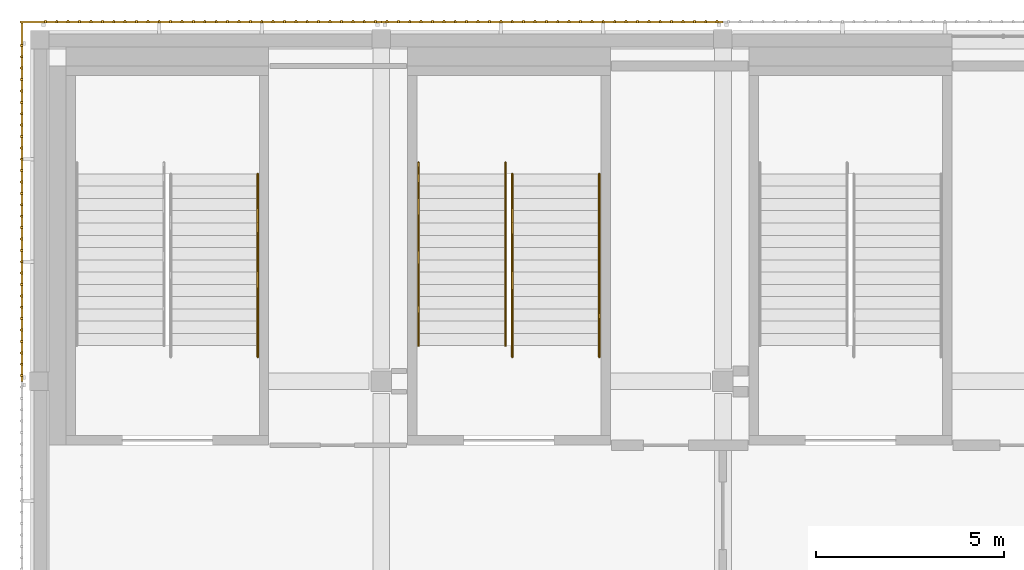
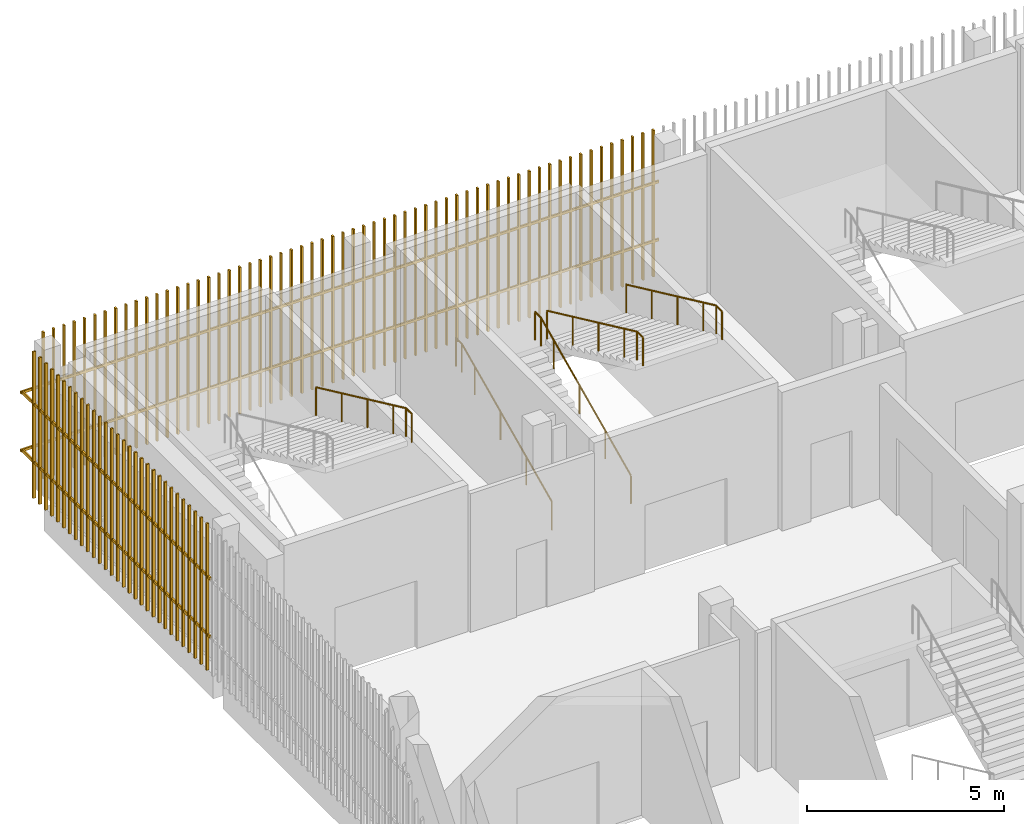
# One storey, part 124 of 139: 5 railings, 3 shading devices.
"""IFC4 building model written with IfcOpenShell, lengths in metres."""

from ifc_helpers import new_model, si_unit, direction, frame, origin, origin_2d, place, context, subcontext, project, spatial, rectangle, circle, extrude, material, type_object, element, save


model = new_model("IFC4")

# Units and contexts
model_context = context("Model", 3, precision=1e-05, world=origin(), true_north=direction((0.0, 1.0)))
body_context = subcontext(model_context, "Body", "Model", "MODEL_VIEW")
ifc_project = project(units=[si_unit("LENGTHUNIT", "METRE"), si_unit("AREAUNIT", "SQUARE_METRE"), si_unit("VOLUMEUNIT", "CUBIC_METRE"), si_unit("PLANEANGLEUNIT", "RADIAN"), si_unit("MASSUNIT", "GRAM", prefix="KILO")], contexts=[model_context])

# Site, building, storey
site_placement = place(None, origin())
site = spatial("IfcSite", under=ifc_project, at=site_placement, CompositionType="ELEMENT")
building_placement = place(site_placement, origin())
building = spatial("IfcBuilding", under=site, at=building_placement, Name="Shirokan Park Arena", CompositionType="ELEMENT")
storey_placement = place(building_placement, frame((0.0, 0.0, 15.469970703125)))
storey = spatial("IfcBuildingStorey", under=building, at=storey_placement, Name="L03", CompositionType="ELEMENT", Elevation=15.469970703125)

# Railings
ifc_material_1 = material(Name="Stainless steel", Category="steel")
railing_type = type_object("IfcRailingType", Name="Stair handrail 900", PredefinedType="HANDRAIL", material=ifc_material_1)
railing_1_placement = place(storey_placement, frame((5.81005859375, 105.623779296875, 2.4267578125)))
element("IfcRailing", 1, at=railing_1_placement, inside=storey, type_object=railing_type, Name="Handrail Exit Stair 4.A L03 to L04", PredefinedType="HANDRAIL", context=body_context, shape_type="SweptSolid", body=[
    extrude(circle(Radius=0.02392578125, at=origin_2d()), frame((0.0, 0.0, 0.8759765625), z_axis=(0.0, -0.907029769225, 0.421066500378), x_axis=(1.0, 0.0, 0.0)), (0.0, 0.0, 1.0), 1.44091796875),
    extrude(circle(Radius=0.02392578125, at=origin_2d()), frame((0.0, -1.306884765625, 1.482421875), z_axis=(0.0, -0.906999720516, 0.421131222998), x_axis=(1.0, 0.0, 0.0)), (0.0, 0.0, 1.0), 1.440673828125),
    extrude(circle(Radius=0.02392578125, at=origin_2d()), frame((0.0, -2.613525390625, 2.08935546875), z_axis=(0.0, -0.907094476872, 0.420927083981), x_axis=(1.0, 0.0, 0.0)), (0.0, 0.0, 1.0), 1.440673828125),
    extrude(circle(Radius=0.02392578125, at=origin_2d()), frame((0.0, -3.92041015625, 2.69580078125), z_axis=(0.0, -0.906934982928, 0.421270621741), x_axis=(1.0, 0.0, 0.0)), (0.0, 0.0, 1.0), 0.720458984375),
    extrude(circle(Radius=0.02392578125, at=origin_2d()), frame((0.0, -4.57373046875, 2.9990234375), z_axis=(0.0, -1.0, 0.0), x_axis=(1.0, 0.0, 0.0)), (0.0, 0.0, 1.0), 0.300048828125),
    extrude(circle(Radius=0.02099609375, at=origin_2d()), origin(), (0.0, 0.0, 1.0), 0.851806640625),
    extrude(circle(Radius=0.02099609375, at=origin_2d()), frame((0.0, -1.306884765625, 0.606689453125)), (0.0, 0.0, 1.0), 0.851806640625),
    extrude(circle(Radius=0.02099609375, at=origin_2d()), frame((0.0, -2.613525390625, 1.21337890625)), (0.0, 0.0, 1.0), 0.851806640625),
    extrude(circle(Radius=0.02099609375, at=origin_2d()), frame((0.0, -3.92041015625, 1.81982421875)), (0.0, 0.0, 1.0), 0.851806640625),
    extrude(circle(Radius=0.02099609375, at=origin_2d()), frame((0.0, -4.57373046875, 2.123291015625)), (0.0, 0.0, 1.0), 0.851806640625),
    extrude(circle(Radius=0.02099609375, at=origin_2d()), frame((0.0, -4.873779296875, 2.123291015625)), (0.0, 0.0, 1.0), 0.851806640625),
])
railing_2_placement = place(storey_placement, frame((10.090087890625, 101.050048828125, 0.151611328125)))
element("IfcRailing", 2, at=railing_2_placement, inside=storey, type_object=railing_type, Name="Handrail Exit Stair 4.B L03 to L04", PredefinedType="HANDRAIL", context=body_context, shape_type="SweptSolid", body=[
    extrude(circle(Radius=0.02392578125, at=origin_2d()), frame((0.0, 0.0, 0.8759765625), z_axis=(0.0, 0.906999720516, 0.421131222998), x_axis=(-1.0, 0.0, 0.0)), (0.0, 0.0, 1.0), 1.440673828125),
    extrude(circle(Radius=0.02392578125, at=origin_2d()), frame((0.0, 1.306640625, 1.482421875), z_axis=(0.0, 0.907029769225, 0.421066500378), x_axis=(-1.0, 0.0, 0.0)), (0.0, 0.0, 1.0), 1.44091796875),
    extrude(circle(Radius=0.02392578125, at=origin_2d()), frame((0.0, 2.613525390625, 2.08935546875), z_axis=(0.0, 0.907029769225, 0.421066500378), x_axis=(-1.0, 0.0, 0.0)), (0.0, 0.0, 1.0), 1.44091796875),
    extrude(circle(Radius=0.02392578125, at=origin_2d()), frame((0.0, 3.92041015625, 2.69580078125), z_axis=(0.0, 0.906934982928, 0.421270621741), x_axis=(-1.0, 0.0, 0.0)), (0.0, 0.0, 1.0), 0.720458984375),
    extrude(circle(Radius=0.02392578125, at=origin_2d()), frame((0.0, 4.57373046875, 2.99951171875), z_axis=(0.0, 1.0, 0.0), x_axis=(-1.0, 0.0, 0.0)), (0.0, 0.0, 1.0), 0.300048828125),
    extrude(circle(Radius=0.02099609375, at=origin_2d()), origin(), (0.0, 0.0, 1.0), 0.851806640625),
    extrude(circle(Radius=0.02099609375, at=origin_2d()), frame((0.0, 1.306640625, 0.606689453125)), (0.0, 0.0, 1.0), 0.851806640625),
    extrude(circle(Radius=0.02099609375, at=origin_2d()), frame((0.0, 2.613525390625, 1.21337890625)), (0.0, 0.0, 1.0), 0.851806640625),
    extrude(circle(Radius=0.02099609375, at=origin_2d()), frame((0.0, 3.92041015625, 1.820068359375)), (0.0, 0.0, 1.0), 0.851806640625),
    extrude(circle(Radius=0.02099609375, at=origin_2d()), frame((0.0, 4.57373046875, 2.12353515625)), (0.0, 0.0, 1.0), 0.851806640625),
    extrude(circle(Radius=0.02099609375, at=origin_2d()), frame((0.0, 4.873779296875, 2.12353515625)), (0.0, 0.0, 1.0), 0.851806640625),
])
railing_3_placement = place(storey_placement, frame((12.409912109375, 101.050048828125, 0.151611328125)))
element("IfcRailing", 3, at=railing_3_placement, inside=storey, type_object=railing_type, Name="Handrail Exit Stair 4.B L03 to L04", PredefinedType="HANDRAIL", context=body_context, shape_type="SweptSolid", body=[
    extrude(circle(Radius=0.02392578125, at=origin_2d()), frame((0.0, 0.0, 0.8759765625), z_axis=(0.0, 0.906999720516, 0.421131222998), x_axis=(-1.0, 0.0, 0.0)), (0.0, 0.0, 1.0), 1.440673828125),
    extrude(circle(Radius=0.02392578125, at=origin_2d()), frame((0.0, 1.306640625, 1.482421875), z_axis=(0.0, 0.907029769225, 0.421066500378), x_axis=(-1.0, 0.0, 0.0)), (0.0, 0.0, 1.0), 1.44091796875),
    extrude(circle(Radius=0.02392578125, at=origin_2d()), frame((0.0, 2.613525390625, 2.08935546875), z_axis=(0.0, 0.907029769225, 0.421066500378), x_axis=(-1.0, 0.0, 0.0)), (0.0, 0.0, 1.0), 1.44091796875),
    extrude(circle(Radius=0.02392578125, at=origin_2d()), frame((0.0, 3.92041015625, 2.69580078125), z_axis=(0.0, 0.906934982928, 0.421270621741), x_axis=(-1.0, 0.0, 0.0)), (0.0, 0.0, 1.0), 0.720458984375),
    extrude(circle(Radius=0.02392578125, at=origin_2d()), frame((0.0, 4.57373046875, 2.99951171875), z_axis=(0.0, 1.0, 0.0), x_axis=(-1.0, 0.0, 0.0)), (0.0, 0.0, 1.0), 0.300048828125),
    extrude(circle(Radius=0.02099609375, at=origin_2d()), origin(), (0.0, 0.0, 1.0), 0.851806640625),
    extrude(circle(Radius=0.02099609375, at=origin_2d()), frame((0.0, 1.306640625, 0.606689453125)), (0.0, 0.0, 1.0), 0.851806640625),
    extrude(circle(Radius=0.02099609375, at=origin_2d()), frame((0.0, 2.613525390625, 1.21337890625)), (0.0, 0.0, 1.0), 0.851806640625),
    extrude(circle(Radius=0.02099609375, at=origin_2d()), frame((0.0, 3.92041015625, 1.820068359375)), (0.0, 0.0, 1.0), 0.851806640625),
    extrude(circle(Radius=0.02099609375, at=origin_2d()), frame((0.0, 4.57373046875, 2.12353515625)), (0.0, 0.0, 1.0), 0.851806640625),
    extrude(circle(Radius=0.02099609375, at=origin_2d()), frame((0.0, 4.873779296875, 2.12353515625)), (0.0, 0.0, 1.0), 0.851806640625),
])
railing_4_placement = place(storey_placement, frame((12.590087890625, 105.623779296875, 2.4267578125)))
element("IfcRailing", 4, at=railing_4_placement, inside=storey, type_object=railing_type, Name="Handrail Exit Stair 4.B L03 to L04", PredefinedType="HANDRAIL", context=body_context, shape_type="SweptSolid", body=[
    extrude(circle(Radius=0.02392578125, at=origin_2d()), frame((0.0, 0.0, 0.8759765625), z_axis=(0.0, -0.907029769225, 0.421066500378), x_axis=(1.0, 0.0, 0.0)), (0.0, 0.0, 1.0), 1.44091796875),
    extrude(circle(Radius=0.02392578125, at=origin_2d()), frame((0.0, -1.306884765625, 1.482421875), z_axis=(0.0, -0.906999720516, 0.421131222998), x_axis=(1.0, 0.0, 0.0)), (0.0, 0.0, 1.0), 1.440673828125),
    extrude(circle(Radius=0.02392578125, at=origin_2d()), frame((0.0, -2.613525390625, 2.08935546875), z_axis=(0.0, -0.907094476872, 0.420927083981), x_axis=(1.0, 0.0, 0.0)), (0.0, 0.0, 1.0), 1.440673828125),
    extrude(circle(Radius=0.02392578125, at=origin_2d()), frame((0.0, -3.92041015625, 2.69580078125), z_axis=(0.0, -0.906934982928, 0.421270621741), x_axis=(1.0, 0.0, 0.0)), (0.0, 0.0, 1.0), 0.720458984375),
    extrude(circle(Radius=0.02392578125, at=origin_2d()), frame((0.0, -4.57373046875, 2.9990234375), z_axis=(0.0, -1.0, 0.0), x_axis=(1.0, 0.0, 0.0)), (0.0, 0.0, 1.0), 0.300048828125),
    extrude(circle(Radius=0.02099609375, at=origin_2d()), origin(), (0.0, 0.0, 1.0), 0.851806640625),
    extrude(circle(Radius=0.02099609375, at=origin_2d()), frame((0.0, -1.306884765625, 0.606689453125)), (0.0, 0.0, 1.0), 0.851806640625),
    extrude(circle(Radius=0.02099609375, at=origin_2d()), frame((0.0, -2.613525390625, 1.21337890625)), (0.0, 0.0, 1.0), 0.851806640625),
    extrude(circle(Radius=0.02099609375, at=origin_2d()), frame((0.0, -3.92041015625, 1.81982421875)), (0.0, 0.0, 1.0), 0.851806640625),
    extrude(circle(Radius=0.02099609375, at=origin_2d()), frame((0.0, -4.57373046875, 2.123291015625)), (0.0, 0.0, 1.0), 0.851806640625),
    extrude(circle(Radius=0.02099609375, at=origin_2d()), frame((0.0, -4.873779296875, 2.123291015625)), (0.0, 0.0, 1.0), 0.851806640625),
])
railing_5_placement = place(storey_placement, frame((14.909912109375, 105.623779296875, 2.4267578125)))
element("IfcRailing", 5, at=railing_5_placement, inside=storey, type_object=railing_type, Name="Handrail Exit Stair 4.B L03 to L04", PredefinedType="HANDRAIL", context=body_context, shape_type="SweptSolid", body=[
    extrude(circle(Radius=0.02392578125, at=origin_2d()), frame((0.0, 0.0, 0.8759765625), z_axis=(0.0, -0.907029769225, 0.421066500378), x_axis=(1.0, 0.0, 0.0)), (0.0, 0.0, 1.0), 1.44091796875),
    extrude(circle(Radius=0.02392578125, at=origin_2d()), frame((0.0, -1.306884765625, 1.482421875), z_axis=(0.0, -0.906999720516, 0.421131222998), x_axis=(1.0, 0.0, 0.0)), (0.0, 0.0, 1.0), 1.440673828125),
    extrude(circle(Radius=0.02392578125, at=origin_2d()), frame((0.0, -2.613525390625, 2.08935546875), z_axis=(0.0, -0.907094476872, 0.420927083981), x_axis=(1.0, 0.0, 0.0)), (0.0, 0.0, 1.0), 1.440673828125),
    extrude(circle(Radius=0.02392578125, at=origin_2d()), frame((0.0, -3.92041015625, 2.69580078125), z_axis=(0.0, -0.906934982928, 0.421270621741), x_axis=(1.0, 0.0, 0.0)), (0.0, 0.0, 1.0), 0.720458984375),
    extrude(circle(Radius=0.02392578125, at=origin_2d()), frame((0.0, -4.57373046875, 2.9990234375), z_axis=(0.0, -1.0, 0.0), x_axis=(1.0, 0.0, 0.0)), (0.0, 0.0, 1.0), 0.300048828125),
    extrude(circle(Radius=0.02099609375, at=origin_2d()), origin(), (0.0, 0.0, 1.0), 0.851806640625),
    extrude(circle(Radius=0.02099609375, at=origin_2d()), frame((0.0, -1.306884765625, 0.606689453125)), (0.0, 0.0, 1.0), 0.851806640625),
    extrude(circle(Radius=0.02099609375, at=origin_2d()), frame((0.0, -2.613525390625, 1.21337890625)), (0.0, 0.0, 1.0), 0.851806640625),
    extrude(circle(Radius=0.02099609375, at=origin_2d()), frame((0.0, -3.92041015625, 1.81982421875)), (0.0, 0.0, 1.0), 0.851806640625),
    extrude(circle(Radius=0.02099609375, at=origin_2d()), frame((0.0, -4.57373046875, 2.123291015625)), (0.0, 0.0, 1.0), 0.851806640625),
    extrude(circle(Radius=0.02099609375, at=origin_2d()), frame((0.0, -4.873779296875, 2.123291015625)), (0.0, 0.0, 1.0), 0.851806640625),
])

# Shading devices
ifc_material_2 = material(Name="Timber louvre veil (cedar)", Category="wood")
shading_device_type = type_object("IfcShadingDeviceType", Name="Timber louvre veil panel", PredefinedType="JALOUSIE", material=ifc_material_2)
shading_device_1_placement = place(storey_placement, origin())
element("IfcShadingDevice", 6, at=shading_device_1_placement, inside=storey, type_object=shading_device_type, Name="Timber louvre veil north bay 15 L03", PredefinedType="JALOUSIE", context=body_context, shape_type="SweptSolid", body=[
    extrude(rectangle(XDim=0.050048828125, YDim=0.080078125, at=origin_2d()), frame((18.04833984375, 109.68505859375, 0.0), z_axis=(0.0, 0.0, 1.0), x_axis=(-1.0, 0.0, 0.0)), (0.0, 0.0, 1.0), 4.550048828125),
    extrude(rectangle(XDim=0.050048828125, YDim=0.080078125, at=origin_2d()), frame((17.7451171875, 109.68505859375, 0.0), z_axis=(0.0, 0.0, 1.0), x_axis=(-1.0, 0.0, 0.0)), (0.0, 0.0, 1.0), 4.550048828125),
    extrude(rectangle(XDim=0.050048828125, YDim=0.080078125, at=origin_2d()), frame((17.441650390625, 109.68505859375, 0.0), z_axis=(0.0, 0.0, 1.0), x_axis=(-1.0, 0.0, 0.0)), (0.0, 0.0, 1.0), 4.550048828125),
    extrude(rectangle(XDim=0.050048828125, YDim=0.080078125, at=origin_2d()), frame((17.138427734375, 109.68505859375, 0.0), z_axis=(0.0, 0.0, 1.0), x_axis=(-1.0, 0.0, 0.0)), (0.0, 0.0, 1.0), 4.550048828125),
    extrude(rectangle(XDim=0.050048828125, YDim=0.080078125, at=origin_2d()), frame((16.8349609375, 109.68505859375, 0.0), z_axis=(0.0, 0.0, 1.0), x_axis=(-1.0, 0.0, 0.0)), (0.0, 0.0, 1.0), 4.550048828125),
    extrude(rectangle(XDim=0.050048828125, YDim=0.080078125, at=origin_2d()), frame((16.53173828125, 109.68505859375, 0.0), z_axis=(0.0, 0.0, 1.0), x_axis=(-1.0, 0.0, 0.0)), (0.0, 0.0, 1.0), 4.550048828125),
    extrude(rectangle(XDim=0.050048828125, YDim=0.080078125, at=origin_2d()), frame((16.228271484375, 109.68505859375, 0.0), z_axis=(0.0, 0.0, 1.0), x_axis=(-1.0, 0.0, 0.0)), (0.0, 0.0, 1.0), 4.550048828125),
    extrude(rectangle(XDim=0.050048828125, YDim=0.080078125, at=origin_2d()), frame((15.925048828125, 109.68505859375, 0.0), z_axis=(0.0, 0.0, 1.0), x_axis=(-1.0, 0.0, 0.0)), (0.0, 0.0, 1.0), 4.550048828125),
    extrude(rectangle(XDim=0.050048828125, YDim=0.080078125, at=origin_2d()), frame((15.62158203125, 109.68505859375, 0.0), z_axis=(0.0, 0.0, 1.0), x_axis=(-1.0, 0.0, 0.0)), (0.0, 0.0, 1.0), 4.550048828125),
    extrude(rectangle(XDim=0.050048828125, YDim=0.080078125, at=origin_2d()), frame((15.318359375, 109.68505859375, 0.0), z_axis=(0.0, 0.0, 1.0), x_axis=(-1.0, 0.0, 0.0)), (0.0, 0.0, 1.0), 4.550048828125),
    extrude(rectangle(XDim=0.050048828125, YDim=0.080078125, at=origin_2d()), frame((15.014892578125, 109.68505859375, 0.0), z_axis=(0.0, 0.0, 1.0), x_axis=(-1.0, 0.0, 0.0)), (0.0, 0.0, 1.0), 4.550048828125),
    extrude(rectangle(XDim=0.050048828125, YDim=0.080078125, at=origin_2d()), frame((14.711669921875, 109.68505859375, 0.0), z_axis=(0.0, 0.0, 1.0), x_axis=(-1.0, 0.0, 0.0)), (0.0, 0.0, 1.0), 4.550048828125),
    extrude(rectangle(XDim=0.050048828125, YDim=0.080078125, at=origin_2d()), frame((14.408447265625, 109.68505859375, 0.0), z_axis=(0.0, 0.0, 1.0), x_axis=(-1.0, 0.0, 0.0)), (0.0, 0.0, 1.0), 4.550048828125),
    extrude(rectangle(XDim=0.050048828125, YDim=0.080078125, at=origin_2d()), frame((14.10498046875, 109.68505859375, 0.0), z_axis=(0.0, 0.0, 1.0), x_axis=(-1.0, 0.0, 0.0)), (0.0, 0.0, 1.0), 4.550048828125),
    extrude(rectangle(XDim=0.050048828125, YDim=0.080078125, at=origin_2d()), frame((13.8017578125, 109.68505859375, 0.0), z_axis=(0.0, 0.0, 1.0), x_axis=(-1.0, 0.0, 0.0)), (0.0, 0.0, 1.0), 4.550048828125),
    extrude(rectangle(XDim=0.050048828125, YDim=0.080078125, at=origin_2d()), frame((13.498291015625, 109.68505859375, 0.0), z_axis=(0.0, 0.0, 1.0), x_axis=(-1.0, 0.0, 0.0)), (0.0, 0.0, 1.0), 4.550048828125),
    extrude(rectangle(XDim=0.050048828125, YDim=0.080078125, at=origin_2d()), frame((13.195068359375, 109.68505859375, 0.0), z_axis=(0.0, 0.0, 1.0), x_axis=(-1.0, 0.0, 0.0)), (0.0, 0.0, 1.0), 4.550048828125),
    extrude(rectangle(XDim=0.050048828125, YDim=0.080078125, at=origin_2d()), frame((12.8916015625, 109.68505859375, 0.0), z_axis=(0.0, 0.0, 1.0), x_axis=(-1.0, 0.0, 0.0)), (0.0, 0.0, 1.0), 4.550048828125),
    extrude(rectangle(XDim=0.050048828125, YDim=0.080078125, at=origin_2d()), frame((12.58837890625, 109.68505859375, 0.0), z_axis=(0.0, 0.0, 1.0), x_axis=(-1.0, 0.0, 0.0)), (0.0, 0.0, 1.0), 4.550048828125),
    extrude(rectangle(XDim=0.050048828125, YDim=0.080078125, at=origin_2d()), frame((12.284912109375, 109.68505859375, 0.0), z_axis=(0.0, 0.0, 1.0), x_axis=(-1.0, 0.0, 0.0)), (0.0, 0.0, 1.0), 4.550048828125),
    extrude(rectangle(XDim=0.050048828125, YDim=0.080078125, at=origin_2d()), frame((11.981689453125, 109.68505859375, 0.0), z_axis=(0.0, 0.0, 1.0), x_axis=(-1.0, 0.0, 0.0)), (0.0, 0.0, 1.0), 4.550048828125),
    extrude(rectangle(XDim=0.050048828125, YDim=0.080078125, at=origin_2d()), frame((11.67822265625, 109.68505859375, 0.0), z_axis=(0.0, 0.0, 1.0), x_axis=(-1.0, 0.0, 0.0)), (0.0, 0.0, 1.0), 4.550048828125),
    extrude(rectangle(XDim=0.050048828125, YDim=0.080078125, at=origin_2d()), frame((11.375, 109.68505859375, 0.0), z_axis=(0.0, 0.0, 1.0), x_axis=(-1.0, 0.0, 0.0)), (0.0, 0.0, 1.0), 4.550048828125),
    extrude(rectangle(XDim=0.050048828125, YDim=0.080078125, at=origin_2d()), frame((11.07177734375, 109.68505859375, 0.0), z_axis=(0.0, 0.0, 1.0), x_axis=(-1.0, 0.0, 0.0)), (0.0, 0.0, 1.0), 4.550048828125),
    extrude(rectangle(XDim=0.050048828125, YDim=0.080078125, at=origin_2d()), frame((10.768310546875, 109.68505859375, 0.0), z_axis=(0.0, 0.0, 1.0), x_axis=(-1.0, 0.0, 0.0)), (0.0, 0.0, 1.0), 4.550048828125),
    extrude(rectangle(XDim=0.050048828125, YDim=0.080078125, at=origin_2d()), frame((10.465087890625, 109.68505859375, 0.0), z_axis=(0.0, 0.0, 1.0), x_axis=(-1.0, 0.0, 0.0)), (0.0, 0.0, 1.0), 4.550048828125),
    extrude(rectangle(XDim=0.050048828125, YDim=0.080078125, at=origin_2d()), frame((10.16162109375, 109.68505859375, 0.0), z_axis=(0.0, 0.0, 1.0), x_axis=(-1.0, 0.0, 0.0)), (0.0, 0.0, 1.0), 4.550048828125),
    extrude(rectangle(XDim=0.050048828125, YDim=0.080078125, at=origin_2d()), frame((9.8583984375, 109.68505859375, 0.0), z_axis=(0.0, 0.0, 1.0), x_axis=(-1.0, 0.0, 0.0)), (0.0, 0.0, 1.0), 4.550048828125),
    extrude(rectangle(XDim=0.050048828125, YDim=0.080078125, at=origin_2d()), frame((9.554931640625, 109.68505859375, 0.0), z_axis=(0.0, 0.0, 1.0), x_axis=(-1.0, 0.0, 0.0)), (0.0, 0.0, 1.0), 4.550048828125),
    extrude(rectangle(XDim=0.050048828125, YDim=0.080078125, at=origin_2d()), frame((9.251708984375, 109.68505859375, 0.0), z_axis=(0.0, 0.0, 1.0), x_axis=(-1.0, 0.0, 0.0)), (0.0, 0.0, 1.0), 4.550048828125),
    extrude(rectangle(XDim=9.10009765625, YDim=0.050048828125, at=origin_2d()), frame((13.64990234375, 109.669921875, 1.06005859375), z_axis=(0.0, 0.0, 1.0), x_axis=(-1.0, 0.0, 0.0)), (0.0, 0.0, 1.0), 0.080078125),
    extrude(rectangle(XDim=9.10009765625, YDim=0.050048828125, at=origin_2d()), frame((13.64990234375, 109.669921875, 2.860107421875), z_axis=(0.0, 0.0, 1.0), x_axis=(-1.0, 0.0, 0.0)), (0.0, 0.0, 1.0), 0.080078125),
])
shading_device_2_placement = place(storey_placement, origin())
element("IfcShadingDevice", 7, at=shading_device_2_placement, inside=storey, type_object=shading_device_type, Name="Timber louvre veil north bay 16 L03", PredefinedType="JALOUSIE", context=body_context, shape_type="SweptSolid", body=[
    extrude(rectangle(XDim=0.050048828125, YDim=0.080078125, at=origin_2d()), frame((8.9482421875, 109.68505859375, 0.0), z_axis=(0.0, 0.0, 1.0), x_axis=(-1.0, 0.0, 0.0)), (0.0, 0.0, 1.0), 4.550048828125),
    extrude(rectangle(XDim=0.050048828125, YDim=0.080078125, at=origin_2d()), frame((8.64501953125, 109.68505859375, 0.0), z_axis=(0.0, 0.0, 1.0), x_axis=(-1.0, 0.0, 0.0)), (0.0, 0.0, 1.0), 4.550048828125),
    extrude(rectangle(XDim=0.050048828125, YDim=0.080078125, at=origin_2d()), frame((8.341552734375, 109.68505859375, 0.0), z_axis=(0.0, 0.0, 1.0), x_axis=(-1.0, 0.0, 0.0)), (0.0, 0.0, 1.0), 4.550048828125),
    extrude(rectangle(XDim=0.050048828125, YDim=0.080078125, at=origin_2d()), frame((8.038330078125, 109.68505859375, 0.0), z_axis=(0.0, 0.0, 1.0), x_axis=(-1.0, 0.0, 0.0)), (0.0, 0.0, 1.0), 4.550048828125),
    extrude(rectangle(XDim=0.050048828125, YDim=0.080078125, at=origin_2d()), frame((7.735107421875, 109.68505859375, 0.0), z_axis=(0.0, 0.0, 1.0), x_axis=(-1.0, 0.0, 0.0)), (0.0, 0.0, 1.0), 4.550048828125),
    extrude(rectangle(XDim=0.050048828125, YDim=0.080078125, at=origin_2d()), frame((7.431640625, 109.68505859375, 0.0), z_axis=(0.0, 0.0, 1.0), x_axis=(-1.0, 0.0, 0.0)), (0.0, 0.0, 1.0), 4.550048828125),
    extrude(rectangle(XDim=0.050048828125, YDim=0.080078125, at=origin_2d()), frame((7.12841796875, 109.68505859375, 0.0), z_axis=(0.0, 0.0, 1.0), x_axis=(-1.0, 0.0, 0.0)), (0.0, 0.0, 1.0), 4.550048828125),
    extrude(rectangle(XDim=0.050048828125, YDim=0.080078125, at=origin_2d()), frame((6.824951171875, 109.68505859375, 0.0), z_axis=(0.0, 0.0, 1.0), x_axis=(-1.0, 0.0, 0.0)), (0.0, 0.0, 1.0), 4.550048828125),
    extrude(rectangle(XDim=0.050048828125, YDim=0.080078125, at=origin_2d()), frame((6.521728515625, 109.68505859375, 0.0), z_axis=(0.0, 0.0, 1.0), x_axis=(-1.0, 0.0, 0.0)), (0.0, 0.0, 1.0), 4.550048828125),
    extrude(rectangle(XDim=0.050048828125, YDim=0.080078125, at=origin_2d()), frame((6.21826171875, 109.68505859375, 0.0), z_axis=(0.0, 0.0, 1.0), x_axis=(-1.0, 0.0, 0.0)), (0.0, 0.0, 1.0), 4.550048828125),
    extrude(rectangle(XDim=0.050048828125, YDim=0.080078125, at=origin_2d()), frame((5.9150390625, 109.68505859375, 0.0), z_axis=(0.0, 0.0, 1.0), x_axis=(-1.0, 0.0, 0.0)), (0.0, 0.0, 1.0), 4.550048828125),
    extrude(rectangle(XDim=0.050048828125, YDim=0.080078125, at=origin_2d()), frame((5.611572265625, 109.68505859375, 0.0), z_axis=(0.0, 0.0, 1.0), x_axis=(-1.0, 0.0, 0.0)), (0.0, 0.0, 1.0), 4.550048828125),
    extrude(rectangle(XDim=0.050048828125, YDim=0.080078125, at=origin_2d()), frame((5.308349609375, 109.68505859375, 0.0), z_axis=(0.0, 0.0, 1.0), x_axis=(-1.0, 0.0, 0.0)), (0.0, 0.0, 1.0), 4.550048828125),
    extrude(rectangle(XDim=0.050048828125, YDim=0.080078125, at=origin_2d()), frame((5.0048828125, 109.68505859375, 0.0), z_axis=(0.0, 0.0, 1.0), x_axis=(-1.0, 0.0, 0.0)), (0.0, 0.0, 1.0), 4.550048828125),
    extrude(rectangle(XDim=0.050048828125, YDim=0.080078125, at=origin_2d()), frame((4.70166015625, 109.68505859375, 0.0), z_axis=(0.0, 0.0, 1.0), x_axis=(-1.0, 0.0, 0.0)), (0.0, 0.0, 1.0), 4.550048828125),
    extrude(rectangle(XDim=0.050048828125, YDim=0.080078125, at=origin_2d()), frame((4.3984375, 109.68505859375, 0.0), z_axis=(0.0, 0.0, 1.0), x_axis=(-1.0, 0.0, 0.0)), (0.0, 0.0, 1.0), 4.550048828125),
    extrude(rectangle(XDim=0.050048828125, YDim=0.080078125, at=origin_2d()), frame((4.094970703125, 109.68505859375, 0.0), z_axis=(0.0, 0.0, 1.0), x_axis=(-1.0, 0.0, 0.0)), (0.0, 0.0, 1.0), 4.550048828125),
    extrude(rectangle(XDim=0.050048828125, YDim=0.080078125, at=origin_2d()), frame((3.791748046875, 109.68505859375, 0.0), z_axis=(0.0, 0.0, 1.0), x_axis=(-1.0, 0.0, 0.0)), (0.0, 0.0, 1.0), 4.550048828125),
    extrude(rectangle(XDim=0.050048828125, YDim=0.080078125, at=origin_2d()), frame((3.48828125, 109.68505859375, 0.0), z_axis=(0.0, 0.0, 1.0), x_axis=(-1.0, 0.0, 0.0)), (0.0, 0.0, 1.0), 4.550048828125),
    extrude(rectangle(XDim=0.050048828125, YDim=0.080078125, at=origin_2d()), frame((3.18505859375, 109.68505859375, 0.0), z_axis=(0.0, 0.0, 1.0), x_axis=(-1.0, 0.0, 0.0)), (0.0, 0.0, 1.0), 4.550048828125),
    extrude(rectangle(XDim=0.050048828125, YDim=0.080078125, at=origin_2d()), frame((2.881591796875, 109.68505859375, 0.0), z_axis=(0.0, 0.0, 1.0), x_axis=(-1.0, 0.0, 0.0)), (0.0, 0.0, 1.0), 4.550048828125),
    extrude(rectangle(XDim=0.050048828125, YDim=0.080078125, at=origin_2d()), frame((2.578369140625, 109.68505859375, 0.0), z_axis=(0.0, 0.0, 1.0), x_axis=(-1.0, 0.0, 0.0)), (0.0, 0.0, 1.0), 4.550048828125),
    extrude(rectangle(XDim=0.050048828125, YDim=0.080078125, at=origin_2d()), frame((2.27490234375, 109.68505859375, 0.0), z_axis=(0.0, 0.0, 1.0), x_axis=(-1.0, 0.0, 0.0)), (0.0, 0.0, 1.0), 4.550048828125),
    extrude(rectangle(XDim=0.050048828125, YDim=0.080078125, at=origin_2d()), frame((1.9716796875, 109.68505859375, 0.0), z_axis=(0.0, 0.0, 1.0), x_axis=(-1.0, 0.0, 0.0)), (0.0, 0.0, 1.0), 4.550048828125),
    extrude(rectangle(XDim=0.050048828125, YDim=0.080078125, at=origin_2d()), frame((1.668212890625, 109.68505859375, 0.0), z_axis=(0.0, 0.0, 1.0), x_axis=(-1.0, 0.0, 0.0)), (0.0, 0.0, 1.0), 4.550048828125),
    extrude(rectangle(XDim=0.050048828125, YDim=0.080078125, at=origin_2d()), frame((1.364990234375, 109.68505859375, 0.0), z_axis=(0.0, 0.0, 1.0), x_axis=(-1.0, 0.0, 0.0)), (0.0, 0.0, 1.0), 4.550048828125),
    extrude(rectangle(XDim=0.050048828125, YDim=0.080078125, at=origin_2d()), frame((1.061767578125, 109.68505859375, 0.0), z_axis=(0.0, 0.0, 1.0), x_axis=(-1.0, 0.0, 0.0)), (0.0, 0.0, 1.0), 4.550048828125),
    extrude(rectangle(XDim=0.050048828125, YDim=0.080078125, at=origin_2d()), frame((0.75830078125, 109.68505859375, 0.0), z_axis=(0.0, 0.0, 1.0), x_axis=(-1.0, 0.0, 0.0)), (0.0, 0.0, 1.0), 4.550048828125),
    extrude(rectangle(XDim=0.050048828125, YDim=0.080078125, at=origin_2d()), frame((0.455078125, 109.68505859375, 0.0), z_axis=(0.0, 0.0, 1.0), x_axis=(-1.0, 0.0, 0.0)), (0.0, 0.0, 1.0), 4.550048828125),
    extrude(rectangle(XDim=0.050048828125, YDim=0.080078125, at=origin_2d()), frame((0.151611328125, 109.68505859375, 0.0), z_axis=(0.0, 0.0, 1.0), x_axis=(-1.0, 0.0, 0.0)), (0.0, 0.0, 1.0), 4.550048828125),
    extrude(rectangle(XDim=9.625, YDim=0.050048828125, at=origin_2d()), frame((4.28759765625, 109.669921875, 1.06005859375), z_axis=(0.0, 0.0, 1.0), x_axis=(-1.0, 0.0, 0.0)), (0.0, 0.0, 1.0), 0.080078125),
    extrude(rectangle(XDim=9.625, YDim=0.050048828125, at=origin_2d()), frame((4.28759765625, 109.669921875, 2.860107421875), z_axis=(0.0, 0.0, 1.0), x_axis=(-1.0, 0.0, 0.0)), (0.0, 0.0, 1.0), 0.080078125),
])
shading_device_3_placement = place(storey_placement, origin())
element("IfcShadingDevice", 8, at=shading_device_3_placement, inside=storey, type_object=shading_device_type, Name="Timber louvre veil west bay 1 L03", PredefinedType="JALOUSIE", context=body_context, shape_type="SweptSolid", body=[
    extrude(rectangle(XDim=0.050048828125, YDim=0.080078125, at=origin_2d()), frame((-0.485107421875, 109.04833984375, 0.0), z_axis=(0.0, 0.0, 1.0), x_axis=(0.0, -1.0, 0.0)), (0.0, 0.0, 1.0), 4.550048828125),
    extrude(rectangle(XDim=0.050048828125, YDim=0.080078125, at=origin_2d()), frame((-0.485107421875, 108.7451171875, 0.0), z_axis=(0.0, 0.0, 1.0), x_axis=(0.0, -1.0, 0.0)), (0.0, 0.0, 1.0), 4.550048828125),
    extrude(rectangle(XDim=0.050048828125, YDim=0.080078125, at=origin_2d()), frame((-0.485107421875, 108.441650390625, 0.0), z_axis=(0.0, 0.0, 1.0), x_axis=(0.0, -1.0, 0.0)), (0.0, 0.0, 1.0), 4.550048828125),
    extrude(rectangle(XDim=0.050048828125, YDim=0.080078125, at=origin_2d()), frame((-0.485107421875, 108.138427734375, 0.0), z_axis=(0.0, 0.0, 1.0), x_axis=(0.0, -1.0, 0.0)), (0.0, 0.0, 1.0), 4.550048828125),
    extrude(rectangle(XDim=0.050048828125, YDim=0.080078125, at=origin_2d()), frame((-0.485107421875, 107.8349609375, 0.0), z_axis=(0.0, 0.0, 1.0), x_axis=(0.0, -1.0, 0.0)), (0.0, 0.0, 1.0), 4.550048828125),
    extrude(rectangle(XDim=0.050048828125, YDim=0.080078125, at=origin_2d()), frame((-0.485107421875, 107.53173828125, 0.0), z_axis=(0.0, 0.0, 1.0), x_axis=(0.0, -1.0, 0.0)), (0.0, 0.0, 1.0), 4.550048828125),
    extrude(rectangle(XDim=0.050048828125, YDim=0.080078125, at=origin_2d()), frame((-0.485107421875, 107.228271484375, 0.0), z_axis=(0.0, 0.0, 1.0), x_axis=(0.0, -1.0, 0.0)), (0.0, 0.0, 1.0), 4.550048828125),
    extrude(rectangle(XDim=0.050048828125, YDim=0.080078125, at=origin_2d()), frame((-0.485107421875, 106.925048828125, 0.0), z_axis=(0.0, 0.0, 1.0), x_axis=(0.0, -1.0, 0.0)), (0.0, 0.0, 1.0), 4.550048828125),
    extrude(rectangle(XDim=0.050048828125, YDim=0.080078125, at=origin_2d()), frame((-0.485107421875, 106.62158203125, 0.0), z_axis=(0.0, 0.0, 1.0), x_axis=(0.0, -1.0, 0.0)), (0.0, 0.0, 1.0), 4.550048828125),
    extrude(rectangle(XDim=0.050048828125, YDim=0.080078125, at=origin_2d()), frame((-0.485107421875, 106.318359375, 0.0), z_axis=(0.0, 0.0, 1.0), x_axis=(0.0, -1.0, 0.0)), (0.0, 0.0, 1.0), 4.550048828125),
    extrude(rectangle(XDim=0.050048828125, YDim=0.080078125, at=origin_2d()), frame((-0.485107421875, 106.014892578125, 0.0), z_axis=(0.0, 0.0, 1.0), x_axis=(0.0, -1.0, 0.0)), (0.0, 0.0, 1.0), 4.550048828125),
    extrude(rectangle(XDim=0.050048828125, YDim=0.080078125, at=origin_2d()), frame((-0.485107421875, 105.711669921875, 0.0), z_axis=(0.0, 0.0, 1.0), x_axis=(0.0, -1.0, 0.0)), (0.0, 0.0, 1.0), 4.550048828125),
    extrude(rectangle(XDim=0.050048828125, YDim=0.080078125, at=origin_2d()), frame((-0.485107421875, 105.408447265625, 0.0), z_axis=(0.0, 0.0, 1.0), x_axis=(0.0, -1.0, 0.0)), (0.0, 0.0, 1.0), 4.550048828125),
    extrude(rectangle(XDim=0.050048828125, YDim=0.080078125, at=origin_2d()), frame((-0.485107421875, 105.10498046875, 0.0), z_axis=(0.0, 0.0, 1.0), x_axis=(0.0, -1.0, 0.0)), (0.0, 0.0, 1.0), 4.550048828125),
    extrude(rectangle(XDim=0.050048828125, YDim=0.080078125, at=origin_2d()), frame((-0.485107421875, 104.8017578125, 0.0), z_axis=(0.0, 0.0, 1.0), x_axis=(0.0, -1.0, 0.0)), (0.0, 0.0, 1.0), 4.550048828125),
    extrude(rectangle(XDim=0.050048828125, YDim=0.080078125, at=origin_2d()), frame((-0.485107421875, 104.498291015625, 0.0), z_axis=(0.0, 0.0, 1.0), x_axis=(0.0, -1.0, 0.0)), (0.0, 0.0, 1.0), 4.550048828125),
    extrude(rectangle(XDim=0.050048828125, YDim=0.080078125, at=origin_2d()), frame((-0.485107421875, 104.195068359375, 0.0), z_axis=(0.0, 0.0, 1.0), x_axis=(0.0, -1.0, 0.0)), (0.0, 0.0, 1.0), 4.550048828125),
    extrude(rectangle(XDim=0.050048828125, YDim=0.080078125, at=origin_2d()), frame((-0.485107421875, 103.8916015625, 0.0), z_axis=(0.0, 0.0, 1.0), x_axis=(0.0, -1.0, 0.0)), (0.0, 0.0, 1.0), 4.550048828125),
    extrude(rectangle(XDim=0.050048828125, YDim=0.080078125, at=origin_2d()), frame((-0.485107421875, 103.58837890625, 0.0), z_axis=(0.0, 0.0, 1.0), x_axis=(0.0, -1.0, 0.0)), (0.0, 0.0, 1.0), 4.550048828125),
    extrude(rectangle(XDim=0.050048828125, YDim=0.080078125, at=origin_2d()), frame((-0.485107421875, 103.284912109375, 0.0), z_axis=(0.0, 0.0, 1.0), x_axis=(0.0, -1.0, 0.0)), (0.0, 0.0, 1.0), 4.550048828125),
    extrude(rectangle(XDim=0.050048828125, YDim=0.080078125, at=origin_2d()), frame((-0.485107421875, 102.981689453125, 0.0), z_axis=(0.0, 0.0, 1.0), x_axis=(0.0, -1.0, 0.0)), (0.0, 0.0, 1.0), 4.550048828125),
    extrude(rectangle(XDim=0.050048828125, YDim=0.080078125, at=origin_2d()), frame((-0.485107421875, 102.67822265625, 0.0), z_axis=(0.0, 0.0, 1.0), x_axis=(0.0, -1.0, 0.0)), (0.0, 0.0, 1.0), 4.550048828125),
    extrude(rectangle(XDim=0.050048828125, YDim=0.080078125, at=origin_2d()), frame((-0.485107421875, 102.375, 0.0), z_axis=(0.0, 0.0, 1.0), x_axis=(0.0, -1.0, 0.0)), (0.0, 0.0, 1.0), 4.550048828125),
    extrude(rectangle(XDim=0.050048828125, YDim=0.080078125, at=origin_2d()), frame((-0.485107421875, 102.07177734375, 0.0), z_axis=(0.0, 0.0, 1.0), x_axis=(0.0, -1.0, 0.0)), (0.0, 0.0, 1.0), 4.550048828125),
    extrude(rectangle(XDim=0.050048828125, YDim=0.080078125, at=origin_2d()), frame((-0.485107421875, 101.768310546875, 0.0), z_axis=(0.0, 0.0, 1.0), x_axis=(0.0, -1.0, 0.0)), (0.0, 0.0, 1.0), 4.550048828125),
    extrude(rectangle(XDim=0.050048828125, YDim=0.080078125, at=origin_2d()), frame((-0.485107421875, 101.465087890625, 0.0), z_axis=(0.0, 0.0, 1.0), x_axis=(0.0, -1.0, 0.0)), (0.0, 0.0, 1.0), 4.550048828125),
    extrude(rectangle(XDim=0.050048828125, YDim=0.080078125, at=origin_2d()), frame((-0.485107421875, 101.16162109375, 0.0), z_axis=(0.0, 0.0, 1.0), x_axis=(0.0, -1.0, 0.0)), (0.0, 0.0, 1.0), 4.550048828125),
    extrude(rectangle(XDim=0.050048828125, YDim=0.080078125, at=origin_2d()), frame((-0.485107421875, 100.8583984375, 0.0), z_axis=(0.0, 0.0, 1.0), x_axis=(0.0, -1.0, 0.0)), (0.0, 0.0, 1.0), 4.550048828125),
    extrude(rectangle(XDim=0.050048828125, YDim=0.080078125, at=origin_2d()), frame((-0.485107421875, 100.554931640625, 0.0), z_axis=(0.0, 0.0, 1.0), x_axis=(0.0, -1.0, 0.0)), (0.0, 0.0, 1.0), 4.550048828125),
    extrude(rectangle(XDim=0.050048828125, YDim=0.080078125, at=origin_2d()), frame((-0.485107421875, 100.251708984375, 0.0), z_axis=(0.0, 0.0, 1.0), x_axis=(0.0, -1.0, 0.0)), (0.0, 0.0, 1.0), 4.550048828125),
    extrude(rectangle(XDim=9.544921875, YDim=0.050048828125, at=origin_2d()), frame((-0.469970703125, 104.87255859375, 1.06005859375), z_axis=(0.0, 0.0, 1.0), x_axis=(0.0, -1.0, 0.0)), (0.0, 0.0, 1.0), 0.080078125),
    extrude(rectangle(XDim=9.544921875, YDim=0.050048828125, at=origin_2d()), frame((-0.469970703125, 104.87255859375, 2.860107421875), z_axis=(0.0, 0.0, 1.0), x_axis=(0.0, -1.0, 0.0)), (0.0, 0.0, 1.0), 0.080078125),
])

save(model, "model.ifc")
